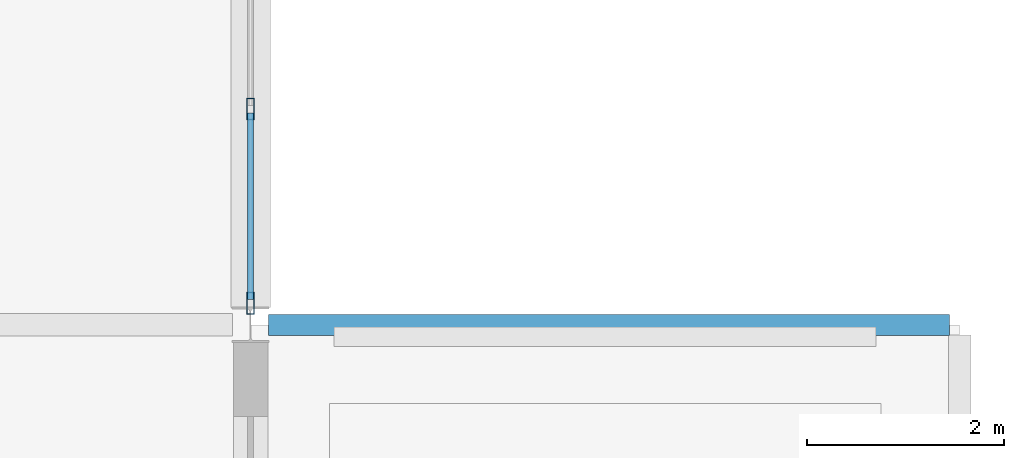
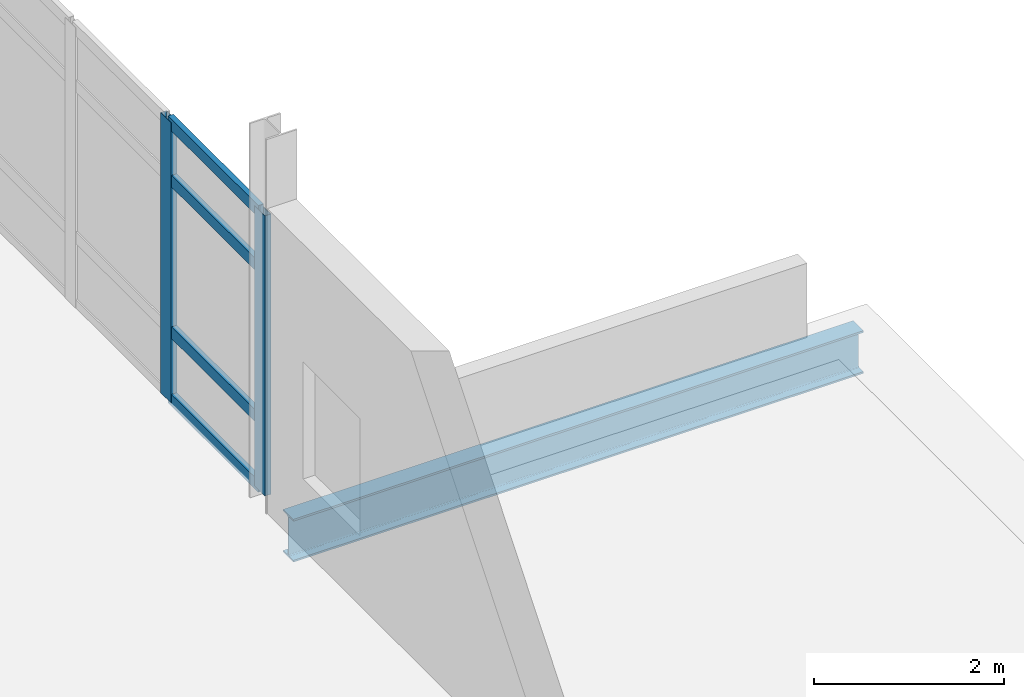
# One storey, part 105 of 186: 6 members, 1 beam, 1 element without a shape of its own.
"""IFC4 building model written with IfcOpenShell, lengths in metres."""

from ifc_helpers import new_model, si_unit, direction, frame, origin, origin_2d, place, context, subcontext, project, spatial, hollow_rectangle, i_section, extrude, material, layer, layer_set, material_profile, profile_set, type_object, element, aggregate, save


model = new_model("IFC4")

# Units and contexts
model_context = context("Model", 3, precision=1e-05, world=origin(), true_north=direction((0.0, 1.0)))
body_context = subcontext(model_context, "Body", "Model", "MODEL_VIEW")
ifc_project = project(units=[si_unit("LENGTHUNIT", "METRE"), si_unit("AREAUNIT", "SQUARE_METRE"), si_unit("VOLUMEUNIT", "CUBIC_METRE"), si_unit("PLANEANGLEUNIT", "RADIAN"), si_unit("MASSUNIT", "GRAM", prefix="KILO")], contexts=[model_context])

# Site, building, storey
site_placement = place(None, origin())
site = spatial("IfcSite", under=ifc_project, at=site_placement, CompositionType="ELEMENT")
building_placement = place(site_placement, origin())
building = spatial("IfcBuilding", under=site, at=building_placement, Name="Calvrana Isthmian Art Gallery", CompositionType="ELEMENT")
storey_placement = place(building_placement, frame((0.0, 0.0, 5.39990234375)))
storey = spatial("IfcBuildingStorey", under=building, at=storey_placement, Name="L01", CompositionType="ELEMENT", Elevation=5.39990234375)

# Beam
ifc_material_1 = material(Name="Steel ASTM A992 Gr 50", Category="steel")
ifc_material_profile_1 = material_profile(ifc_material_1, i_section(OverallWidth=0.214111328125, OverallDepth=0.549072265625, WebThickness=0.0146484375, FlangeThickness=0.023681640625, FilletRadius=0.02099609375, at=origin_2d()), Name="W21X93")
ifc_profile_set_1 = profile_set([ifc_material_profile_1], Name="Steel ASTM A992 Gr 50")
beam_type = type_object("IfcBeamType", Name="BM-G-W21X93", PredefinedType="BEAM", material=ifc_profile_set_1)
beam_placement = place(storey_placement, frame((156.18408203125, 21.60009765625, -0.519287109375), z_axis=(1.0, 0.0, 0.0), x_axis=(0.0, 1.0, 0.0)))
element("IfcBeam", 1, at=beam_placement, inside=storey, type_object=beam_type, Name="Girder X L01 21-22/D", PredefinedType="BEAM", context=body_context, shape_type="SweptSolid", body=[
    extrude(i_section(OverallWidth=0.214111328125, OverallDepth=0.549072265625, WebThickness=0.0146484375, FlangeThickness=0.023681640625, FilletRadius=0.02099609375, at=origin_2d()), origin(), (0.0, 0.0, 1.0), 6.914306640625),
])

# Curtain wall, members
ifc_material_2 = material(Name="Anodized bronze aluminium 6063-T6", Category="aluminium")
ifc_layer = layer(ifc_material_2, 0.179931640625, Name="Anodized bronze aluminium 6063-T6")
ifc_layer_set = layer_set([ifc_layer], Name="Anodized bronze aluminium 6063-T6")
curtain_wall_type = type_object("IfcCurtainWallType", Name="CW-UNIT-080X36", PredefinedType="USERDEFINED", material=ifc_layer_set)
curtain_wall_placement = place(storey_placement, origin())
curtain_wall = element("IfcCurtainWall", 2, at=curtain_wall_placement, inside=storey, type_object=curtain_wall_type, Name="Curtain wall CW-142", ObjectType="UNITISED CURTAIN WALL", PredefinedType="USERDEFINED")
ifc_material_profile_2 = material_profile(ifc_material_2, hollow_rectangle(XDim=0.074951171875, YDim=0.219970703125, WallThickness=0.0048828125, at=origin_2d()), Name="CWM75X220")
ifc_profile_set_2 = profile_set([ifc_material_profile_2], Name="Anodized bronze aluminium 6063-T6")
member_type_1 = type_object("IfcMemberType", Name="CWM-CWM75X220", PredefinedType="MULLION", material=ifc_profile_set_2)
member_1_placement = place(storey_placement, frame((156.0, 23.7900390625, 0.0), z_axis=(0.0, 0.0, 1.0), x_axis=(1.0, 0.0, 0.0)))
member_1 = element("IfcMember", 3, at=member_1_placement, type_object=member_type_1, Name="CW-142 mullion 4", PredefinedType="MULLION", context=body_context, shape_type="SweptSolid", body=[
    extrude(hollow_rectangle(XDim=0.074951171875, YDim=0.219970703125, WallThickness=0.0048828125, at=origin_2d()), origin(), (0.0, 0.0, 1.0), 3.593017578125),
])
member_2_placement = place(storey_placement, frame((156.0, 21.819091796875, 0.0), z_axis=(0.0, 0.0, 1.0), x_axis=(1.0, 0.0, 0.0)))
member_2 = element("IfcMember", 4, at=member_2_placement, type_object=member_type_1, Name="CW-142 mullion 5", PredefinedType="MULLION", context=body_context, shape_type="SweptSolid", body=[
    extrude(hollow_rectangle(XDim=0.074951171875, YDim=0.219970703125, WallThickness=0.0048828125, at=origin_2d()), origin(), (0.0, 0.0, 1.0), 3.593017578125),
])
ifc_material_profile_3 = material_profile(ifc_material_2, hollow_rectangle(XDim=0.06494140625, YDim=0.14990234375, WallThickness=0.00390625, at=origin_2d()), Name="CWT65X150")
ifc_profile_set_3 = profile_set([ifc_material_profile_3], Name="Anodized bronze aluminium 6063-T6")
member_type_2 = type_object("IfcMemberType", Name="CWT-CWT65X150", PredefinedType="USERDEFINED", material=ifc_profile_set_3)
member_3_placement = place(storey_placement, frame((156.0, 23.752685546875, 0.03271484375), z_axis=(0.0, -1.0, 0.0), x_axis=(1.0, 0.0, 0.0)))
member_3 = element("IfcMember", 5, at=member_3_placement, type_object=member_type_2, Name="CW-142 transom 4.1", ObjectType="TRANSOM", PredefinedType="USERDEFINED", context=body_context, shape_type="SweptSolid", body=[
    extrude(hollow_rectangle(XDim=0.06494140625, YDim=0.14990234375, WallThickness=0.00390625, at=origin_2d()), origin(), (0.0, 0.0, 1.0), 1.896240234375),
])
member_4_placement = place(storey_placement, frame((156.0, 23.752685546875, 0.900146484375), z_axis=(0.0, -1.0, 0.0), x_axis=(1.0, 0.0, 0.0)))
member_4 = element("IfcMember", 6, at=member_4_placement, type_object=member_type_2, Name="CW-142 transom 4.2", ObjectType="TRANSOM", PredefinedType="USERDEFINED", context=body_context, shape_type="SweptSolid", body=[
    extrude(hollow_rectangle(XDim=0.06494140625, YDim=0.14990234375, WallThickness=0.00390625, at=origin_2d()), origin(), (0.0, 0.0, 1.0), 1.896240234375),
])
member_5_placement = place(storey_placement, frame((156.0, 23.752685546875, 2.843017578125), z_axis=(0.0, -1.0, 0.0), x_axis=(1.0, 0.0, 0.0)))
member_5 = element("IfcMember", 7, at=member_5_placement, type_object=member_type_2, Name="CW-142 transom 4.3", ObjectType="TRANSOM", PredefinedType="USERDEFINED", context=body_context, shape_type="SweptSolid", body=[
    extrude(hollow_rectangle(XDim=0.06494140625, YDim=0.14990234375, WallThickness=0.00390625, at=origin_2d()), origin(), (0.0, 0.0, 1.0), 1.896240234375),
])
member_6_placement = place(storey_placement, frame((156.0, 23.752685546875, 3.560546875), z_axis=(0.0, -1.0, 0.0), x_axis=(1.0, 0.0, 0.0)))
member_6 = element("IfcMember", 8, at=member_6_placement, type_object=member_type_2, Name="CW-142 transom 4.4", ObjectType="TRANSOM", PredefinedType="USERDEFINED", context=body_context, shape_type="SweptSolid", body=[
    extrude(hollow_rectangle(XDim=0.06494140625, YDim=0.14990234375, WallThickness=0.00390625, at=origin_2d()), origin(), (0.0, 0.0, 1.0), 1.896240234375),
])
aggregate(curtain_wall, [member_1, member_2, member_3, member_4, member_5, member_6])

save(model, "model.ifc")
